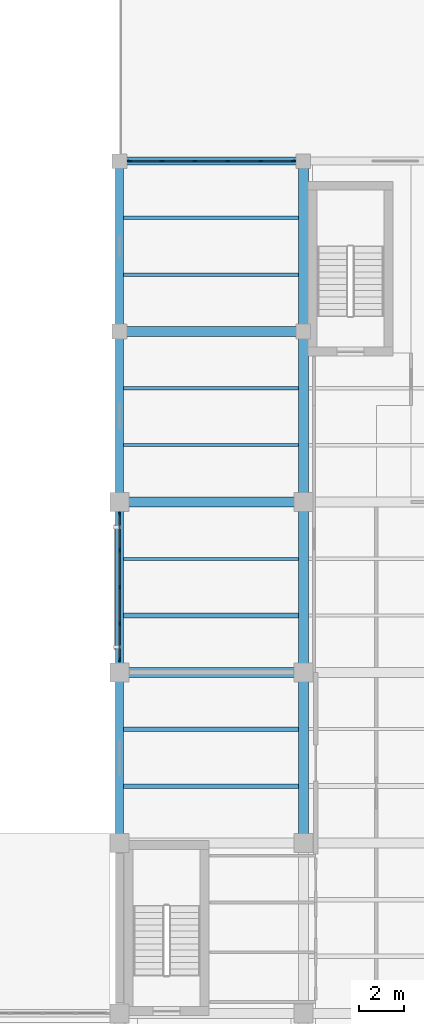
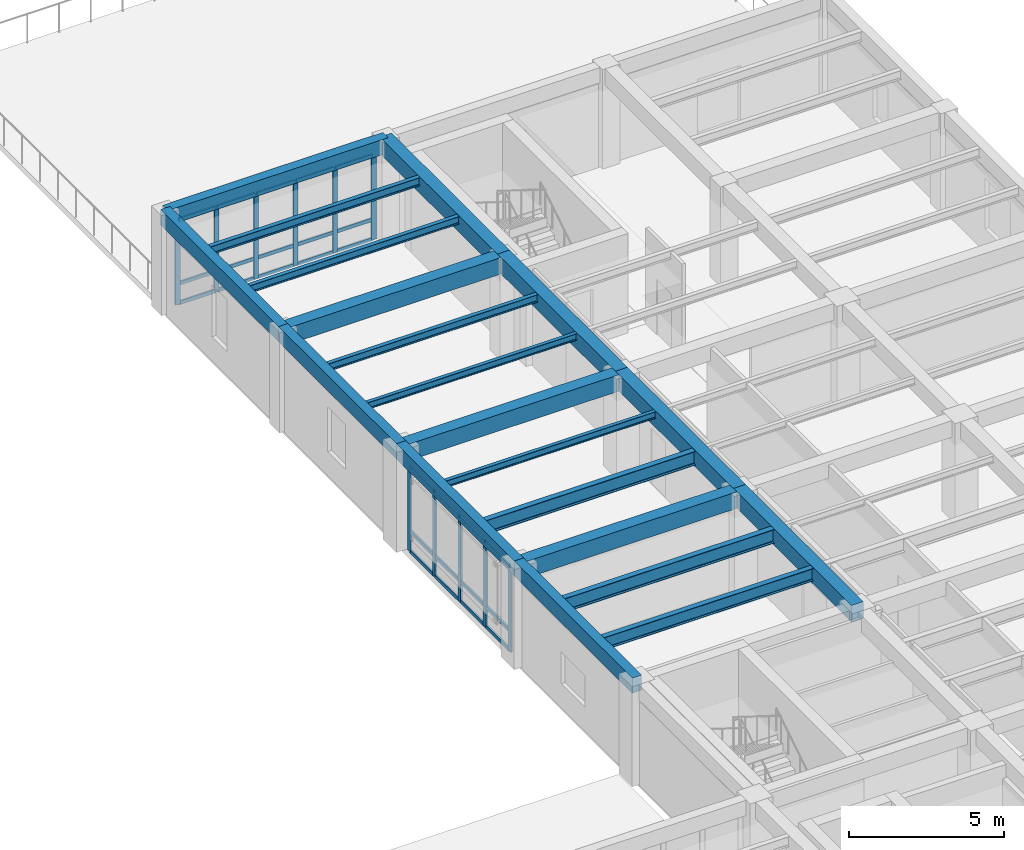
# One storey, part 5 of 22: 38 members, 20 beams, 2 elements without a shape of their own.
"""IFC4 building model written with IfcOpenShell, lengths in metres."""

from ifc_helpers import new_model, si_unit, direction, frame, origin, origin_2d, place, context, subcontext, project, spatial, rectangle, i_section, extrude, material, material_profile, profile_set, type_object, element, aggregate, save


model = new_model("IFC4")

# Units and contexts
model_context = context("Model", 3, precision=1e-05, world=origin(), true_north=direction((0.0, 1.0)))
body_context = subcontext(model_context, "Body", "Model", "MODEL_VIEW")
ifc_project = project(units=[si_unit("LENGTHUNIT", "METRE"), si_unit("AREAUNIT", "SQUARE_METRE"), si_unit("VOLUMEUNIT", "CUBIC_METRE"), si_unit("PLANEANGLEUNIT", "RADIAN"), si_unit("MASSUNIT", "GRAM", prefix="KILO")], contexts=[model_context])

# Site, building, storey
site_placement = place(None, origin())
site = spatial("IfcSite", under=ifc_project, at=site_placement, CompositionType="ELEMENT")
building_placement = place(site_placement, origin())
building = spatial("IfcBuilding", under=site, at=building_placement, Name="Qandaris Square Conservatory and Botanical Centre", CompositionType="ELEMENT")
storey_placement = place(building_placement, frame((0.0, 0.0, 19.800048828125)))
storey = spatial("IfcBuildingStorey", under=building, at=storey_placement, Name="L04", CompositionType="ELEMENT", Elevation=19.800048828125)

# Beams
ifc_material_1 = material(Name="Steel S355", Category="steel")
ifc_material_profile_1 = material_profile(ifc_material_1, i_section(OverallWidth=0.199951171875, OverallDepth=0.5, WebThickness=0.01025390625, FlangeThickness=0.01611328125, FilletRadius=0.02099609375, at=origin_2d()), Name="IPE 500")
ifc_profile_set_1 = profile_set([ifc_material_profile_1], Name="Steel S355")
beam_type_1 = type_object("IfcBeamType", Name="Composite Gallery Joist IPE 500", PredefinedType="JOIST", material=ifc_profile_set_1)
beam_1_placement = place(storey_placement, frame((139.375, 49.533203125, 3.679931640625), z_axis=(1.0, 0.0, 0.0), x_axis=(0.0, 1.0, 0.0)))
element("IfcBeam", 1, at=beam_1_placement, inside=storey, type_object=beam_type_1, Name="L04 Composite Joist 1788", PredefinedType="JOIST", context=body_context, shape_type="SweptSolid", body=[
    extrude(i_section(OverallWidth=0.199951171875, OverallDepth=0.5, WebThickness=0.01025390625, FlangeThickness=0.01611328125, FilletRadius=0.02099609375, at=origin_2d()), origin(), (0.0, 0.0, 1.0), 7.800048828125),
])
ifc_material_profile_2 = material_profile(ifc_material_1, i_section(OverallWidth=0.14990234375, OverallDepth=0.300048828125, WebThickness=0.007080078125, FlangeThickness=0.0107421875, FilletRadius=0.014892578125, at=origin_2d()), Name="IPE 300")
ifc_profile_set_2 = profile_set([ifc_material_profile_2], Name="Steel S355")
beam_type_2 = type_object("IfcBeamType", Name="Composite Lab Joist IPE 300", PredefinedType="JOIST", material=ifc_profile_set_2)
for number, where, z_axis, x_axis, name in (
    (2, (139.375, 67.2666015625, 3.780029296875), (1.0, 0.0, 0.0), (0.0, 1.0, 0.0), "L04 Composite Joist 1793"),
    (3, (139.375, 72.333251953125, 3.780029296875), (1.0, 0.0, 0.0), (0.0, 1.0, 0.0), "L04 Composite Joist 1794"),
):
    element("IfcBeam", number, at=place(storey_placement, frame(where, z_axis=z_axis, x_axis=x_axis)), inside=storey, type_object=beam_type_2, Name=name, PredefinedType="JOIST", context=body_context, shape_type="SweptSolid", body=[
        extrude(i_section(OverallWidth=0.14990234375, OverallDepth=0.300048828125, WebThickness=0.007080078125, FlangeThickness=0.0107421875, FilletRadius=0.014892578125, at=origin_2d()), origin(), (0.0, 0.0, 1.0), 7.800048828125),
    ])
ifc_material_profile_3 = material_profile(ifc_material_1, i_section(OverallWidth=0.159912109375, OverallDepth=0.330078125, WebThickness=0.007568359375, FlangeThickness=0.011474609375, FilletRadius=0.01806640625, at=origin_2d()), Name="IPE 330")
ifc_profile_set_3 = profile_set([ifc_material_profile_3], Name="Steel S355")
beam_type_3 = type_object("IfcBeamType", Name="Composite Lab Joist IPE 330", PredefinedType="JOIST", material=ifc_profile_set_3)
beam_2_placement = place(storey_placement, frame((139.375, 74.86669921875, 3.764892578125), z_axis=(1.0, 0.0, 0.0), x_axis=(0.0, 1.0, 0.0)))
element("IfcBeam", 4, at=beam_2_placement, inside=storey, type_object=beam_type_3, Name="L04 Composite Joist 1795", PredefinedType="JOIST", context=body_context, shape_type="SweptSolid", body=[
    extrude(i_section(OverallWidth=0.159912109375, OverallDepth=0.330078125, WebThickness=0.007568359375, FlangeThickness=0.011474609375, FilletRadius=0.01806640625, at=origin_2d()), origin(), (0.0, 0.0, 1.0), 7.800048828125),
])

# Curtain wall, members
ifc_material_2 = material(Name="Anodised Aluminium", Category="aluminium")
curtain_wall_type_1 = type_object("IfcCurtainWallType", Name="Unitised Curtain Wall CW-3-735x334", PredefinedType="USERDEFINED", material=ifc_material_2)
curtain_wall_1_placement = place(storey_placement, origin())
curtain_wall_1 = element("IfcCurtainWall", 5, at=curtain_wall_1_placement, inside=storey, type_object=curtain_wall_type_1, Name="Curtain Wall CW-TWR-L04-3-3", ObjectType="GLAZED CURTAIN WALL", PredefinedType="USERDEFINED")
ifc_material_profile_4 = material_profile(ifc_material_2, rectangle(XDim=0.06494140625, YDim=0.179931640625, at=origin_2d()), Name="ALU-MUL 65x180")
ifc_profile_set_4 = profile_set([ifc_material_profile_4], Name="Anodised Aluminium")
member_type_1 = type_object("IfcMemberType", Name="Curtain Wall Mullion 65x180", PredefinedType="MULLION", material=ifc_profile_set_4)
member_1_placement = place(storey_placement, frame((146.9423828125, 77.39990234375, 0.0), z_axis=(0.0, 0.0, 1.0), x_axis=(0.0, -1.0, 0.0)))
member_1 = element("IfcMember", 6, at=member_1_placement, type_object=member_type_1, Name="CW-3-735x334 mullion 1", PredefinedType="MULLION", context=body_context, shape_type="SweptSolid", body=[
    extrude(rectangle(XDim=0.06494140625, YDim=0.179931640625, at=origin_2d()), origin(), (0.0, 0.0, 1.0), 3.33984375),
])
member_2_placement = place(storey_placement, frame((145.5048828125, 77.39990234375, 0.0), z_axis=(0.0, 0.0, 1.0), x_axis=(0.0, -1.0, 0.0)))
member_2 = element("IfcMember", 7, at=member_2_placement, type_object=member_type_1, Name="CW-3-735x334 mullion 2", PredefinedType="MULLION", context=body_context, shape_type="SweptSolid", body=[
    extrude(rectangle(XDim=0.06494140625, YDim=0.179931640625, at=origin_2d()), origin(), (0.0, 0.0, 1.0), 3.33984375),
])
member_3_placement = place(storey_placement, frame((144.034912109375, 77.39990234375, 0.0), z_axis=(0.0, 0.0, 1.0), x_axis=(0.0, -1.0, 0.0)))
member_3 = element("IfcMember", 8, at=member_3_placement, type_object=member_type_1, Name="CW-3-735x334 mullion 3", PredefinedType="MULLION", context=body_context, shape_type="SweptSolid", body=[
    extrude(rectangle(XDim=0.06494140625, YDim=0.179931640625, at=origin_2d()), origin(), (0.0, 0.0, 1.0), 3.33984375),
])
member_4_placement = place(storey_placement, frame((142.56494140625, 77.39990234375, 0.0), z_axis=(0.0, 0.0, 1.0), x_axis=(0.0, -1.0, 0.0)))
member_4 = element("IfcMember", 9, at=member_4_placement, type_object=member_type_1, Name="CW-3-735x334 mullion 4", PredefinedType="MULLION", context=body_context, shape_type="SweptSolid", body=[
    extrude(rectangle(XDim=0.06494140625, YDim=0.179931640625, at=origin_2d()), origin(), (0.0, 0.0, 1.0), 3.33984375),
])
member_5_placement = place(storey_placement, frame((141.094970703125, 77.39990234375, 0.0), z_axis=(0.0, 0.0, 1.0), x_axis=(0.0, -1.0, 0.0)))
member_5 = element("IfcMember", 10, at=member_5_placement, type_object=member_type_1, Name="CW-3-735x334 mullion 5", PredefinedType="MULLION", context=body_context, shape_type="SweptSolid", body=[
    extrude(rectangle(XDim=0.06494140625, YDim=0.179931640625, at=origin_2d()), origin(), (0.0, 0.0, 1.0), 3.33984375),
])
member_6_placement = place(storey_placement, frame((139.657470703125, 77.39990234375, 0.0), z_axis=(0.0, 0.0, 1.0), x_axis=(0.0, -1.0, 0.0)))
member_6 = element("IfcMember", 11, at=member_6_placement, type_object=member_type_1, Name="CW-3-735x334 mullion 6", PredefinedType="MULLION", context=body_context, shape_type="SweptSolid", body=[
    extrude(rectangle(XDim=0.06494140625, YDim=0.179931640625, at=origin_2d()), origin(), (0.0, 0.0, 1.0), 3.33984375),
])

curtain_wall_type_2 = type_object("IfcCurtainWallType", Name="Unitised Curtain Wall CW-4-655x334", PredefinedType="USERDEFINED", material=ifc_material_2)
curtain_wall_2_placement = place(storey_placement, origin())
curtain_wall_2 = element("IfcCurtainWall", 12, at=curtain_wall_2_placement, inside=storey, type_object=curtain_wall_type_2, Name="Curtain Wall CW-TWR-L04-4-3", ObjectType="GLAZED CURTAIN WALL", PredefinedType="USERDEFINED")
member_7_placement = place(storey_placement, frame((139.199951171875, 61.642578125, 0.0), z_axis=(0.0, 0.0, 1.0), x_axis=(1.0, 0.0, 0.0)))
member_7 = element("IfcMember", 13, at=member_7_placement, type_object=member_type_1, Name="CW-4-655x334 mullion 1", PredefinedType="MULLION", context=body_context, shape_type="SweptSolid", body=[
    extrude(rectangle(XDim=0.06494140625, YDim=0.179931640625, at=origin_2d()), origin(), (0.0, 0.0, 1.0), 3.33984375),
])
member_8_placement = place(storey_placement, frame((139.199951171875, 60.03759765625, 0.0), z_axis=(0.0, 0.0, 1.0), x_axis=(1.0, 0.0, 0.0)))
member_8 = element("IfcMember", 14, at=member_8_placement, type_object=member_type_1, Name="CW-4-655x334 mullion 2", PredefinedType="MULLION", context=body_context, shape_type="SweptSolid", body=[
    extrude(rectangle(XDim=0.06494140625, YDim=0.179931640625, at=origin_2d()), origin(), (0.0, 0.0, 1.0), 3.33984375),
])
member_9_placement = place(storey_placement, frame((139.199951171875, 58.39990234375, 0.0), z_axis=(0.0, 0.0, 1.0), x_axis=(1.0, 0.0, 0.0)))
member_9 = element("IfcMember", 15, at=member_9_placement, type_object=member_type_1, Name="CW-4-655x334 mullion 3", PredefinedType="MULLION", context=body_context, shape_type="SweptSolid", body=[
    extrude(rectangle(XDim=0.06494140625, YDim=0.179931640625, at=origin_2d()), origin(), (0.0, 0.0, 1.0), 3.33984375),
])
member_10_placement = place(storey_placement, frame((139.199951171875, 56.762451171875, 0.0), z_axis=(0.0, 0.0, 1.0), x_axis=(1.0, 0.0, 0.0)))
member_10 = element("IfcMember", 16, at=member_10_placement, type_object=member_type_1, Name="CW-4-655x334 mullion 4", PredefinedType="MULLION", context=body_context, shape_type="SweptSolid", body=[
    extrude(rectangle(XDim=0.06494140625, YDim=0.179931640625, at=origin_2d()), origin(), (0.0, 0.0, 1.0), 3.33984375),
])
member_11_placement = place(storey_placement, frame((139.199951171875, 55.157470703125, 0.0), z_axis=(0.0, 0.0, 1.0), x_axis=(1.0, 0.0, 0.0)))
member_11 = element("IfcMember", 17, at=member_11_placement, type_object=member_type_1, Name="CW-4-655x334 mullion 5", PredefinedType="MULLION", context=body_context, shape_type="SweptSolid", body=[
    extrude(rectangle(XDim=0.06494140625, YDim=0.179931640625, at=origin_2d()), origin(), (0.0, 0.0, 1.0), 3.33984375),
])

# Member
ifc_material_profile_5 = material_profile(ifc_material_2, rectangle(XDim=0.06494140625, YDim=0.139892578125, at=origin_2d()), Name="ALU-TRN 65x140")
ifc_profile_set_5 = profile_set([ifc_material_profile_5], Name="Anodised Aluminium")
member_type_2 = type_object("IfcMemberType", Name="Curtain Wall Transom 65x140", PredefinedType="USERDEFINED", material=ifc_profile_set_5)
member_12_placement = place(storey_placement, frame((146.909912109375, 77.39990234375, 0.032470703125), z_axis=(-1.0, 0.0, 0.0), x_axis=(0.0, -1.0, 0.0)))
member_12 = element("IfcMember", 18, at=member_12_placement, type_object=member_type_2, Name="CW-3-735x334 transom 1.1", ObjectType="TRANSOM", PredefinedType="USERDEFINED", context=body_context, shape_type="SweptSolid", body=[
    extrude(rectangle(XDim=0.06494140625, YDim=0.139892578125, at=origin_2d()), origin(), (0.0, 0.0, 1.0), 1.372314453125),
])

member_13_placement = place(storey_placement, frame((146.909912109375, 77.39990234375, 0.801513671875), z_axis=(-1.0, 0.0, 0.0), x_axis=(0.0, -1.0, 0.0)))
member_13 = element("IfcMember", 19, at=member_13_placement, type_object=member_type_2, Name="CW-3-735x334 transom 1.2", ObjectType="TRANSOM", PredefinedType="USERDEFINED", context=body_context, shape_type="SweptSolid", body=[
    extrude(rectangle(XDim=0.06494140625, YDim=0.139892578125, at=origin_2d()), origin(), (0.0, 0.0, 1.0), 1.372314453125),
])

member_14_placement = place(storey_placement, frame((146.909912109375, 77.39990234375, 3.307373046875), z_axis=(-1.0, 0.0, 0.0), x_axis=(0.0, -1.0, 0.0)))
member_14 = element("IfcMember", 20, at=member_14_placement, type_object=member_type_2, Name="CW-3-735x334 transom 1.3", ObjectType="TRANSOM", PredefinedType="USERDEFINED", context=body_context, shape_type="SweptSolid", body=[
    extrude(rectangle(XDim=0.06494140625, YDim=0.139892578125, at=origin_2d()), origin(), (0.0, 0.0, 1.0), 1.372314453125),
])

member_15_placement = place(storey_placement, frame((145.472412109375, 77.39990234375, 0.032470703125), z_axis=(-1.0, 0.0, 0.0), x_axis=(0.0, -1.0, 0.0)))
member_15 = element("IfcMember", 21, at=member_15_placement, type_object=member_type_2, Name="CW-3-735x334 transom 2.1", ObjectType="TRANSOM", PredefinedType="USERDEFINED", context=body_context, shape_type="SweptSolid", body=[
    extrude(rectangle(XDim=0.06494140625, YDim=0.139892578125, at=origin_2d()), origin(), (0.0, 0.0, 1.0), 1.405029296875),
])

member_16_placement = place(storey_placement, frame((145.472412109375, 77.39990234375, 0.801513671875), z_axis=(-1.0, 0.0, 0.0), x_axis=(0.0, -1.0, 0.0)))
member_16 = element("IfcMember", 22, at=member_16_placement, type_object=member_type_2, Name="CW-3-735x334 transom 2.2", ObjectType="TRANSOM", PredefinedType="USERDEFINED", context=body_context, shape_type="SweptSolid", body=[
    extrude(rectangle(XDim=0.06494140625, YDim=0.139892578125, at=origin_2d()), origin(), (0.0, 0.0, 1.0), 1.405029296875),
])

member_17_placement = place(storey_placement, frame((145.472412109375, 77.39990234375, 3.307373046875), z_axis=(-1.0, 0.0, 0.0), x_axis=(0.0, -1.0, 0.0)))
member_17 = element("IfcMember", 23, at=member_17_placement, type_object=member_type_2, Name="CW-3-735x334 transom 2.3", ObjectType="TRANSOM", PredefinedType="USERDEFINED", context=body_context, shape_type="SweptSolid", body=[
    extrude(rectangle(XDim=0.06494140625, YDim=0.139892578125, at=origin_2d()), origin(), (0.0, 0.0, 1.0), 1.405029296875),
])

member_18_placement = place(storey_placement, frame((144.00244140625, 77.39990234375, 0.032470703125), z_axis=(-1.0, 0.0, 0.0), x_axis=(0.0, -1.0, 0.0)))
member_18 = element("IfcMember", 24, at=member_18_placement, type_object=member_type_2, Name="CW-3-735x334 transom 3.1", ObjectType="TRANSOM", PredefinedType="USERDEFINED", context=body_context, shape_type="SweptSolid", body=[
    extrude(rectangle(XDim=0.06494140625, YDim=0.139892578125, at=origin_2d()), origin(), (0.0, 0.0, 1.0), 1.405029296875),
])

member_19_placement = place(storey_placement, frame((144.00244140625, 77.39990234375, 0.801513671875), z_axis=(-1.0, 0.0, 0.0), x_axis=(0.0, -1.0, 0.0)))
member_19 = element("IfcMember", 25, at=member_19_placement, type_object=member_type_2, Name="CW-3-735x334 transom 3.2", ObjectType="TRANSOM", PredefinedType="USERDEFINED", context=body_context, shape_type="SweptSolid", body=[
    extrude(rectangle(XDim=0.06494140625, YDim=0.139892578125, at=origin_2d()), origin(), (0.0, 0.0, 1.0), 1.405029296875),
])

member_20_placement = place(storey_placement, frame((144.00244140625, 77.39990234375, 3.307373046875), z_axis=(-1.0, 0.0, 0.0), x_axis=(0.0, -1.0, 0.0)))
member_20 = element("IfcMember", 26, at=member_20_placement, type_object=member_type_2, Name="CW-3-735x334 transom 3.3", ObjectType="TRANSOM", PredefinedType="USERDEFINED", context=body_context, shape_type="SweptSolid", body=[
    extrude(rectangle(XDim=0.06494140625, YDim=0.139892578125, at=origin_2d()), origin(), (0.0, 0.0, 1.0), 1.405029296875),
])

member_21_placement = place(storey_placement, frame((142.532470703125, 77.39990234375, 0.032470703125), z_axis=(-1.0, 0.0, 0.0), x_axis=(0.0, -1.0, 0.0)))
member_21 = element("IfcMember", 27, at=member_21_placement, type_object=member_type_2, Name="CW-3-735x334 transom 4.1", ObjectType="TRANSOM", PredefinedType="USERDEFINED", context=body_context, shape_type="SweptSolid", body=[
    extrude(rectangle(XDim=0.06494140625, YDim=0.139892578125, at=origin_2d()), origin(), (0.0, 0.0, 1.0), 1.405029296875),
])

member_22_placement = place(storey_placement, frame((142.532470703125, 77.39990234375, 0.801513671875), z_axis=(-1.0, 0.0, 0.0), x_axis=(0.0, -1.0, 0.0)))
member_22 = element("IfcMember", 28, at=member_22_placement, type_object=member_type_2, Name="CW-3-735x334 transom 4.2", ObjectType="TRANSOM", PredefinedType="USERDEFINED", context=body_context, shape_type="SweptSolid", body=[
    extrude(rectangle(XDim=0.06494140625, YDim=0.139892578125, at=origin_2d()), origin(), (0.0, 0.0, 1.0), 1.405029296875),
])

member_23_placement = place(storey_placement, frame((142.532470703125, 77.39990234375, 3.307373046875), z_axis=(-1.0, 0.0, 0.0), x_axis=(0.0, -1.0, 0.0)))
member_23 = element("IfcMember", 29, at=member_23_placement, type_object=member_type_2, Name="CW-3-735x334 transom 4.3", ObjectType="TRANSOM", PredefinedType="USERDEFINED", context=body_context, shape_type="SweptSolid", body=[
    extrude(rectangle(XDim=0.06494140625, YDim=0.139892578125, at=origin_2d()), origin(), (0.0, 0.0, 1.0), 1.405029296875),
])

member_24_placement = place(storey_placement, frame((141.0625, 77.39990234375, 0.032470703125), z_axis=(-1.0, 0.0, 0.0), x_axis=(0.0, -1.0, 0.0)))
member_24 = element("IfcMember", 30, at=member_24_placement, type_object=member_type_2, Name="CW-3-735x334 transom 5.1", ObjectType="TRANSOM", PredefinedType="USERDEFINED", context=body_context, shape_type="SweptSolid", body=[
    extrude(rectangle(XDim=0.06494140625, YDim=0.139892578125, at=origin_2d()), origin(), (0.0, 0.0, 1.0), 1.37255859375),
])

member_25_placement = place(storey_placement, frame((141.0625, 77.39990234375, 0.801513671875), z_axis=(-1.0, 0.0, 0.0), x_axis=(0.0, -1.0, 0.0)))
member_25 = element("IfcMember", 31, at=member_25_placement, type_object=member_type_2, Name="CW-3-735x334 transom 5.2", ObjectType="TRANSOM", PredefinedType="USERDEFINED", context=body_context, shape_type="SweptSolid", body=[
    extrude(rectangle(XDim=0.06494140625, YDim=0.139892578125, at=origin_2d()), origin(), (0.0, 0.0, 1.0), 1.37255859375),
])

member_26_placement = place(storey_placement, frame((141.0625, 77.39990234375, 3.307373046875), z_axis=(-1.0, 0.0, 0.0), x_axis=(0.0, -1.0, 0.0)))
member_26 = element("IfcMember", 32, at=member_26_placement, type_object=member_type_2, Name="CW-3-735x334 transom 5.3", ObjectType="TRANSOM", PredefinedType="USERDEFINED", context=body_context, shape_type="SweptSolid", body=[
    extrude(rectangle(XDim=0.06494140625, YDim=0.139892578125, at=origin_2d()), origin(), (0.0, 0.0, 1.0), 1.37255859375),
])

aggregate(curtain_wall_1, [member_1, member_2, member_3, member_4, member_5, member_6, member_12, member_13, member_14, member_15, member_16, member_17, member_18, member_19, member_20, member_21, member_22, member_23, member_24, member_25, member_26])

member_27_placement = place(storey_placement, frame((139.199951171875, 61.610107421875, 0.032470703125), z_axis=(0.0, -1.0, 0.0), x_axis=(1.0, 0.0, 0.0)))
member_27 = element("IfcMember", 33, at=member_27_placement, type_object=member_type_2, Name="CW-4-655x334 transom 1.1", ObjectType="TRANSOM", PredefinedType="USERDEFINED", context=body_context, shape_type="SweptSolid", body=[
    extrude(rectangle(XDim=0.06494140625, YDim=0.139892578125, at=origin_2d()), origin(), (0.0, 0.0, 1.0), 1.5400390625),
])

member_28_placement = place(storey_placement, frame((139.199951171875, 61.610107421875, 0.801513671875), z_axis=(0.0, -1.0, 0.0), x_axis=(1.0, 0.0, 0.0)))
member_28 = element("IfcMember", 34, at=member_28_placement, type_object=member_type_2, Name="CW-4-655x334 transom 1.2", ObjectType="TRANSOM", PredefinedType="USERDEFINED", context=body_context, shape_type="SweptSolid", body=[
    extrude(rectangle(XDim=0.06494140625, YDim=0.139892578125, at=origin_2d()), origin(), (0.0, 0.0, 1.0), 1.5400390625),
])

member_29_placement = place(storey_placement, frame((139.199951171875, 61.610107421875, 3.307373046875), z_axis=(0.0, -1.0, 0.0), x_axis=(1.0, 0.0, 0.0)))
member_29 = element("IfcMember", 35, at=member_29_placement, type_object=member_type_2, Name="CW-4-655x334 transom 1.3", ObjectType="TRANSOM", PredefinedType="USERDEFINED", context=body_context, shape_type="SweptSolid", body=[
    extrude(rectangle(XDim=0.06494140625, YDim=0.139892578125, at=origin_2d()), origin(), (0.0, 0.0, 1.0), 1.5400390625),
])

member_30_placement = place(storey_placement, frame((139.199951171875, 60.0048828125, 0.032470703125), z_axis=(0.0, -1.0, 0.0), x_axis=(1.0, 0.0, 0.0)))
member_30 = element("IfcMember", 36, at=member_30_placement, type_object=member_type_2, Name="CW-4-655x334 transom 2.1", ObjectType="TRANSOM", PredefinedType="USERDEFINED", context=body_context, shape_type="SweptSolid", body=[
    extrude(rectangle(XDim=0.06494140625, YDim=0.139892578125, at=origin_2d()), origin(), (0.0, 0.0, 1.0), 1.572265625),
])

member_31_placement = place(storey_placement, frame((139.199951171875, 60.0048828125, 0.801513671875), z_axis=(0.0, -1.0, 0.0), x_axis=(1.0, 0.0, 0.0)))
member_31 = element("IfcMember", 37, at=member_31_placement, type_object=member_type_2, Name="CW-4-655x334 transom 2.2", ObjectType="TRANSOM", PredefinedType="USERDEFINED", context=body_context, shape_type="SweptSolid", body=[
    extrude(rectangle(XDim=0.06494140625, YDim=0.139892578125, at=origin_2d()), origin(), (0.0, 0.0, 1.0), 1.572265625),
])

member_32_placement = place(storey_placement, frame((139.199951171875, 60.0048828125, 3.307373046875), z_axis=(0.0, -1.0, 0.0), x_axis=(1.0, 0.0, 0.0)))
member_32 = element("IfcMember", 38, at=member_32_placement, type_object=member_type_2, Name="CW-4-655x334 transom 2.3", ObjectType="TRANSOM", PredefinedType="USERDEFINED", context=body_context, shape_type="SweptSolid", body=[
    extrude(rectangle(XDim=0.06494140625, YDim=0.139892578125, at=origin_2d()), origin(), (0.0, 0.0, 1.0), 1.572265625),
])

member_33_placement = place(storey_placement, frame((139.199951171875, 58.367431640625, 0.032470703125), z_axis=(0.0, -1.0, 0.0), x_axis=(1.0, 0.0, 0.0)))
member_33 = element("IfcMember", 39, at=member_33_placement, type_object=member_type_2, Name="CW-4-655x334 transom 3.1", ObjectType="TRANSOM", PredefinedType="USERDEFINED", context=body_context, shape_type="SweptSolid", body=[
    extrude(rectangle(XDim=0.06494140625, YDim=0.139892578125, at=origin_2d()), origin(), (0.0, 0.0, 1.0), 1.572509765625),
])

member_34_placement = place(storey_placement, frame((139.199951171875, 58.367431640625, 0.801513671875), z_axis=(0.0, -1.0, 0.0), x_axis=(1.0, 0.0, 0.0)))
member_34 = element("IfcMember", 40, at=member_34_placement, type_object=member_type_2, Name="CW-4-655x334 transom 3.2", ObjectType="TRANSOM", PredefinedType="USERDEFINED", context=body_context, shape_type="SweptSolid", body=[
    extrude(rectangle(XDim=0.06494140625, YDim=0.139892578125, at=origin_2d()), origin(), (0.0, 0.0, 1.0), 1.572509765625),
])

member_35_placement = place(storey_placement, frame((139.199951171875, 58.367431640625, 3.307373046875), z_axis=(0.0, -1.0, 0.0), x_axis=(1.0, 0.0, 0.0)))
member_35 = element("IfcMember", 41, at=member_35_placement, type_object=member_type_2, Name="CW-4-655x334 transom 3.3", ObjectType="TRANSOM", PredefinedType="USERDEFINED", context=body_context, shape_type="SweptSolid", body=[
    extrude(rectangle(XDim=0.06494140625, YDim=0.139892578125, at=origin_2d()), origin(), (0.0, 0.0, 1.0), 1.572509765625),
])

member_36_placement = place(storey_placement, frame((139.199951171875, 56.72998046875, 0.032470703125), z_axis=(0.0, -1.0, 0.0), x_axis=(1.0, 0.0, 0.0)))
member_36 = element("IfcMember", 42, at=member_36_placement, type_object=member_type_2, Name="CW-4-655x334 transom 4.1", ObjectType="TRANSOM", PredefinedType="USERDEFINED", context=body_context, shape_type="SweptSolid", body=[
    extrude(rectangle(XDim=0.06494140625, YDim=0.139892578125, at=origin_2d()), origin(), (0.0, 0.0, 1.0), 1.5400390625),
])

member_37_placement = place(storey_placement, frame((139.199951171875, 56.72998046875, 0.801513671875), z_axis=(0.0, -1.0, 0.0), x_axis=(1.0, 0.0, 0.0)))
member_37 = element("IfcMember", 43, at=member_37_placement, type_object=member_type_2, Name="CW-4-655x334 transom 4.2", ObjectType="TRANSOM", PredefinedType="USERDEFINED", context=body_context, shape_type="SweptSolid", body=[
    extrude(rectangle(XDim=0.06494140625, YDim=0.139892578125, at=origin_2d()), origin(), (0.0, 0.0, 1.0), 1.5400390625),
])

member_38_placement = place(storey_placement, frame((139.199951171875, 56.72998046875, 3.307373046875), z_axis=(0.0, -1.0, 0.0), x_axis=(1.0, 0.0, 0.0)))
member_38 = element("IfcMember", 44, at=member_38_placement, type_object=member_type_2, Name="CW-4-655x334 transom 4.3", ObjectType="TRANSOM", PredefinedType="USERDEFINED", context=body_context, shape_type="SweptSolid", body=[
    extrude(rectangle(XDim=0.06494140625, YDim=0.139892578125, at=origin_2d()), origin(), (0.0, 0.0, 1.0), 1.5400390625),
])

aggregate(curtain_wall_2, [member_7, member_8, member_9, member_10, member_11, member_27, member_28, member_29, member_30, member_31, member_32, member_33, member_34, member_35, member_36, member_37, member_38])

# Beams
ifc_material_profile_6 = material_profile(ifc_material_1, i_section(OverallWidth=0.2099609375, OverallDepth=0.550048828125, WebThickness=0.010986328125, FlangeThickness=0.01708984375, FilletRadius=0.02392578125, at=origin_2d()), Name="IPE 550")
ifc_profile_set_6 = profile_set([ifc_material_profile_6], Name="Steel S355")
beam_type_4 = type_object("IfcBeamType", Name="Long-Span Foyer Joist IPE 550", PredefinedType="JOIST", material=ifc_profile_set_6)
for number, where, z_axis, x_axis, name in (
    (45, (139.375, 52.066650390625, 3.655029296875), (1.0, 0.0, 0.0), (0.0, 1.0, 0.0), "L04 Composite Joist 1789"),
    (46, (139.375, 57.13330078125, 3.655029296875), (1.0, 0.0, 0.0), (0.0, 1.0, 0.0), "L04 Composite Joist 1790"),
):
    element("IfcBeam", number, at=place(storey_placement, frame(where, z_axis=z_axis, x_axis=x_axis)), inside=storey, type_object=beam_type_4, Name=name, PredefinedType="JOIST", context=body_context, shape_type="SweptSolid", body=[
        extrude(i_section(OverallWidth=0.2099609375, OverallDepth=0.550048828125, WebThickness=0.010986328125, FlangeThickness=0.01708984375, FilletRadius=0.02392578125, at=origin_2d()), origin(), (0.0, 0.0, 1.0), 7.800048828125),
    ])
ifc_material_3 = material(Name="Concrete C50/60", Category="concrete")
ifc_material_profile_7 = material_profile(ifc_material_3, rectangle(XDim=0.35009765625, YDim=0.60009765625, at=origin_2d()), Name="RC-SP 350x600")
ifc_profile_set_7 = profile_set([ifc_material_profile_7], Name="Concrete C50/60")
beam_type_5 = type_object("IfcBeamType", Name="RC Edge Spandrel Beam 350x600", PredefinedType="SPANDREL", material=ifc_profile_set_7)
beam_3_placement = place(storey_placement, frame((139.199951171875, 77.39990234375, 3.639892578125), z_axis=(1.0, 0.0, 0.0), x_axis=(0.0, 1.0, 0.0)))
element("IfcBeam", 47, at=beam_3_placement, inside=storey, type_object=beam_type_5, Name="L04 Frame Beam 1723", PredefinedType="SPANDREL", context=body_context, shape_type="SweptSolid", body=[
    extrude(rectangle(XDim=0.35009765625, YDim=0.60009765625, at=origin_2d()), origin(), (0.0, 0.0, 1.0), 8.199951171875),
])
beam_4_placement = place(storey_placement, frame((139.199951171875, 47.0, 3.639892578125), z_axis=(0.0, 1.0, 0.0), x_axis=(-1.0, 0.0, 0.0)))
element("IfcBeam", 48, at=beam_4_placement, inside=storey, type_object=beam_type_5, Name="L04 Frame Beam 1739", PredefinedType="SPANDREL", context=body_context, shape_type="SweptSolid", body=[
    extrude(rectangle(XDim=0.35009765625, YDim=0.60009765625, at=origin_2d()), origin(), (0.0, 0.0, 1.0), 7.60009765625),
])
beam_5_placement = place(storey_placement, frame((139.199951171875, 54.60009765625, 3.639892578125), z_axis=(0.0, 1.0, 0.0), x_axis=(-1.0, 0.0, 0.0)))
element("IfcBeam", 49, at=beam_5_placement, inside=storey, type_object=beam_type_5, Name="L04 Frame Beam 1740", PredefinedType="SPANDREL", context=body_context, shape_type="SweptSolid", body=[
    extrude(rectangle(XDim=0.35009765625, YDim=0.60009765625, at=origin_2d()), origin(), (0.0, 0.0, 1.0), 7.599853515625),
])
beam_6_placement = place(storey_placement, frame((139.199951171875, 62.199951171875, 3.639892578125), z_axis=(0.0, 1.0, 0.0), x_axis=(-1.0, 0.0, 0.0)))
element("IfcBeam", 50, at=beam_6_placement, inside=storey, type_object=beam_type_5, Name="L04 Frame Beam 1741", PredefinedType="SPANDREL", context=body_context, shape_type="SweptSolid", body=[
    extrude(rectangle(XDim=0.35009765625, YDim=0.60009765625, at=origin_2d()), origin(), (0.0, 0.0, 1.0), 7.60009765625),
])
beam_7_placement = place(storey_placement, frame((139.199951171875, 69.800048828125, 3.639892578125), z_axis=(0.0, 1.0, 0.0), x_axis=(-1.0, 0.0, 0.0)))
element("IfcBeam", 51, at=beam_7_placement, inside=storey, type_object=beam_type_5, Name="L04 Frame Beam 1742", PredefinedType="SPANDREL", context=body_context, shape_type="SweptSolid", body=[
    extrude(rectangle(XDim=0.35009765625, YDim=0.60009765625, at=origin_2d()), origin(), (0.0, 0.0, 1.0), 7.599853515625),
])
ifc_material_profile_8 = material_profile(ifc_material_3, rectangle(XDim=0.449951171875, YDim=0.64990234375, at=origin_2d()), Name="RC-BM 450x650")
ifc_profile_set_8 = profile_set([ifc_material_profile_8], Name="Concrete C50/60")
beam_type_6 = type_object("IfcBeamType", Name="RC Floor Girder 450x650", PredefinedType="BEAM", material=ifc_profile_set_8)
for number, where, z_axis, x_axis, name in (
    (52, (139.199951171875, 54.60009765625, 3.614990234375), (1.0, 0.0, 0.0), (0.0, 1.0, 0.0), "L04 Frame Beam 1715"),
    (53, (139.199951171875, 62.199951171875, 3.614990234375), (1.0, 0.0, 0.0), (0.0, 1.0, 0.0), "L04 Frame Beam 1718"),
    (54, (139.199951171875, 69.800048828125, 3.614990234375), (1.0, 0.0, 0.0), (0.0, 1.0, 0.0), "L04 Frame Beam 1721"),
):
    element("IfcBeam", number, at=place(storey_placement, frame(where, z_axis=z_axis, x_axis=x_axis)), inside=storey, type_object=beam_type_6, Name=name, PredefinedType="BEAM", context=body_context, shape_type="SweptSolid", body=[
        extrude(rectangle(XDim=0.449951171875, YDim=0.64990234375, at=origin_2d()), origin(), (0.0, 0.0, 1.0), 8.199951171875),
    ])
beam_8_placement = place(storey_placement, frame((147.39990234375, 47.0, 3.614990234375), z_axis=(0.0, 1.0, 0.0), x_axis=(-1.0, 0.0, 0.0)))
element("IfcBeam", 55, at=beam_8_placement, inside=storey, type_object=beam_type_6, Name="L04 Frame Beam 1747", PredefinedType="BEAM", context=body_context, shape_type="SweptSolid", body=[
    extrude(rectangle(XDim=0.449951171875, YDim=0.64990234375, at=origin_2d()), origin(), (0.0, 0.0, 1.0), 7.60009765625),
])
beam_9_placement = place(storey_placement, frame((147.39990234375, 54.60009765625, 3.614990234375), z_axis=(0.0, 1.0, 0.0), x_axis=(-1.0, 0.0, 0.0)))
element("IfcBeam", 56, at=beam_9_placement, inside=storey, type_object=beam_type_6, Name="L04 Frame Beam 1748", PredefinedType="BEAM", context=body_context, shape_type="SweptSolid", body=[
    extrude(rectangle(XDim=0.449951171875, YDim=0.64990234375, at=origin_2d()), origin(), (0.0, 0.0, 1.0), 7.599853515625),
])
beam_10_placement = place(storey_placement, frame((147.39990234375, 62.199951171875, 3.614990234375), z_axis=(0.0, 1.0, 0.0), x_axis=(-1.0, 0.0, 0.0)))
element("IfcBeam", 57, at=beam_10_placement, inside=storey, type_object=beam_type_6, Name="L04 Frame Beam 1749", PredefinedType="BEAM", context=body_context, shape_type="SweptSolid", body=[
    extrude(rectangle(XDim=0.449951171875, YDim=0.64990234375, at=origin_2d()), origin(), (0.0, 0.0, 1.0), 7.60009765625),
])
beam_11_placement = place(storey_placement, frame((147.39990234375, 69.800048828125, 3.614990234375), z_axis=(0.0, 1.0, 0.0), x_axis=(-1.0, 0.0, 0.0)))
element("IfcBeam", 58, at=beam_11_placement, inside=storey, type_object=beam_type_6, Name="L04 Frame Beam 1750", PredefinedType="BEAM", context=body_context, shape_type="SweptSolid", body=[
    extrude(rectangle(XDim=0.449951171875, YDim=0.64990234375, at=origin_2d()), origin(), (0.0, 0.0, 1.0), 7.599853515625),
])
ifc_material_profile_9 = material_profile(ifc_material_1, i_section(OverallWidth=0.135009765625, OverallDepth=0.27001953125, WebThickness=0.006591796875, FlangeThickness=0.01025390625, FilletRadius=0.014892578125, at=origin_2d()), Name="IPE 270")
ifc_profile_set_9 = profile_set([ifc_material_profile_9], Name="Steel S355")
beam_type_7 = type_object("IfcBeamType", Name="Steel Floor Joist IPE 270", PredefinedType="JOIST", material=ifc_profile_set_9)
for number, where, z_axis, x_axis, name in (
    (59, (139.375, 59.666748046875, 3.794921875), (1.0, 0.0, 0.0), (0.0, 1.0, 0.0), "L04 Composite Joist 1791"),
    (60, (139.375, 64.7333984375, 3.794921875), (1.0, 0.0, 0.0), (0.0, 1.0, 0.0), "L04 Composite Joist 1792"),
):
    element("IfcBeam", number, at=place(storey_placement, frame(where, z_axis=z_axis, x_axis=x_axis)), inside=storey, type_object=beam_type_7, Name=name, PredefinedType="JOIST", context=body_context, shape_type="SweptSolid", body=[
        extrude(i_section(OverallWidth=0.135009765625, OverallDepth=0.27001953125, WebThickness=0.006591796875, FlangeThickness=0.01025390625, FilletRadius=0.014892578125, at=origin_2d()), origin(), (0.0, 0.0, 1.0), 7.800048828125),
    ])

save(model, "model.ifc")
